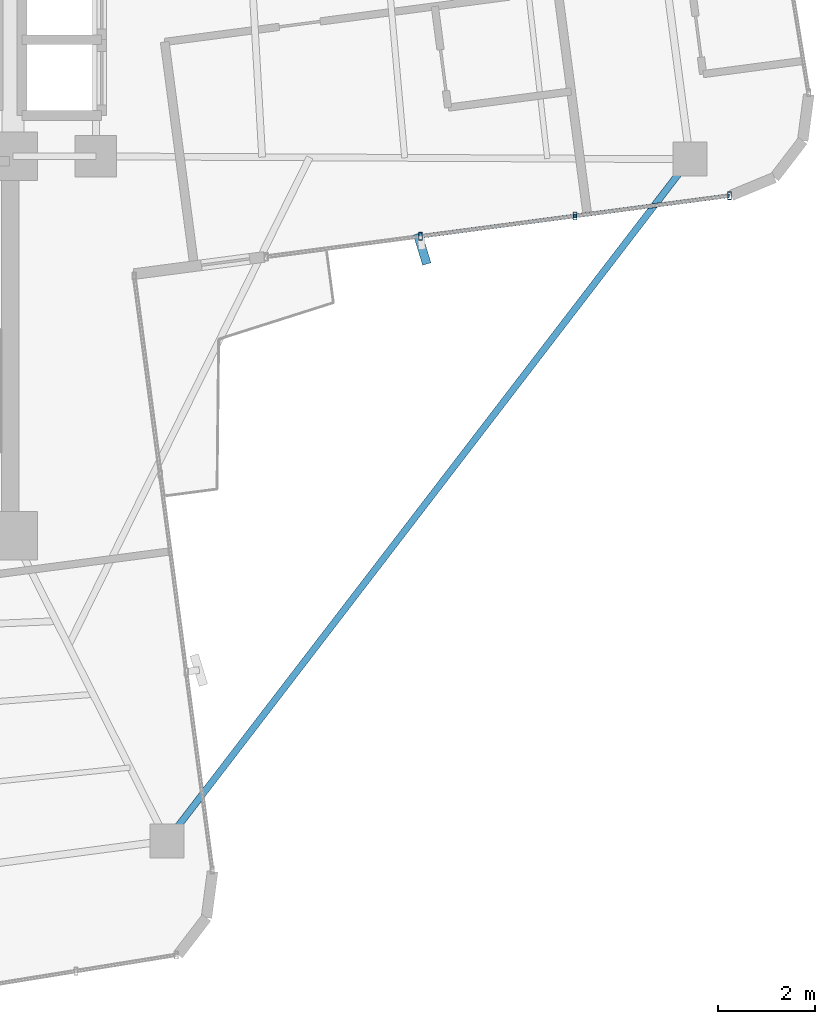
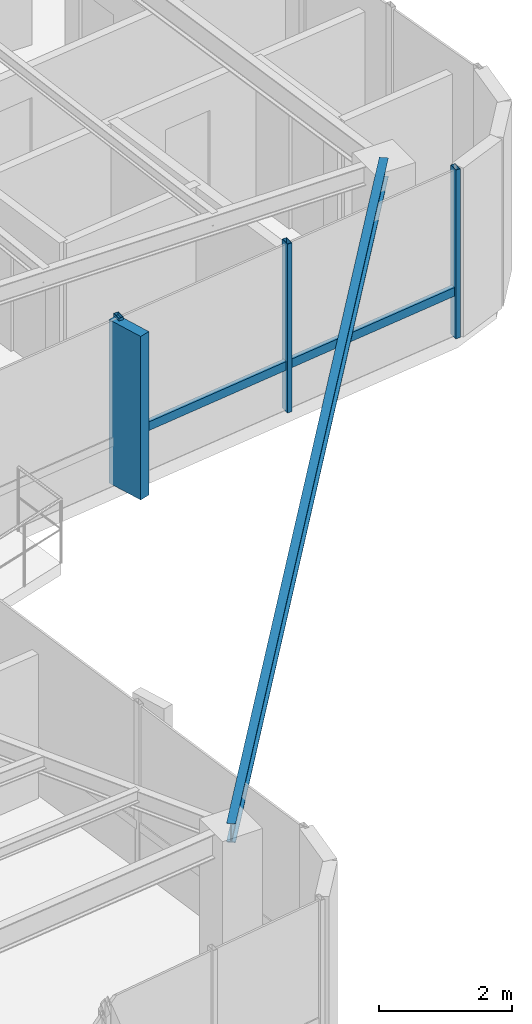
# One storey, part 12 of 22: 6 members, 1 beam, 1 element without a shape of its own.
"""IFC4 building model written with IfcOpenShell, lengths in metres."""

from ifc_helpers import new_model, si_unit, direction, frame, origin, origin_2d, place, context, subcontext, project, spatial, rectangle, hollow_rectangle, i_section, extrude, source, transform, mapped, material, material_profile, profile_set, type_object, element, aggregate, save


model = new_model("IFC4")

# Units and contexts
model_context = context("Model", 3, precision=1e-05, world=origin(), true_north=direction((0.0, 1.0)))
body_context = subcontext(model_context, "Body", "Model", "MODEL_VIEW")
ifc_project = project(units=[si_unit("LENGTHUNIT", "METRE"), si_unit("AREAUNIT", "SQUARE_METRE"), si_unit("VOLUMEUNIT", "CUBIC_METRE"), si_unit("PLANEANGLEUNIT", "RADIAN"), si_unit("MASSUNIT", "GRAM", prefix="KILO")], contexts=[model_context])

# Site, building, storey
site_placement = place(None, origin())
site = spatial("IfcSite", under=ifc_project, at=site_placement, CompositionType="ELEMENT")
building_placement = place(site_placement, origin())
building = spatial("IfcBuilding", under=site, at=building_placement, Name="Sahyath Konkavel Grand Hotel", CompositionType="ELEMENT")
storey_placement = place(building_placement, frame((0.0, 0.0, 272.449951171875)))
storey = spatial("IfcBuildingStorey", under=building, at=storey_placement, Name="L76", CompositionType="ELEMENT", Elevation=272.449951171875)

# Beam
ifc_material_1 = material(Name="Steel E350", Category="steel")
ifc_material_profile_1 = material_profile(ifc_material_1, i_section(OverallWidth=0.139892578125, OverallDepth=0.35009765625, WebThickness=0.008056640625, FlangeThickness=0.01416015625, FilletRadius=0.013916015625, at=origin_2d()), Name="ISMB 350")
ifc_profile_set_1 = profile_set([ifc_material_profile_1], Name="Steel E350")
beam_type = type_object("IfcBeamType", Name="BM-ISMB350", PredefinedType="BEAM", material=ifc_profile_set_1)
shared_shape_1 = source(origin(), body_context, "Body", "SweptSolid", [
    extrude(i_section(OverallWidth=0.139892578125, OverallDepth=0.35009765625, WebThickness=0.008056640625, FlangeThickness=0.01416015625, FilletRadius=0.013916015625, at=origin_2d()), origin(), (0.0, 0.0, 1.0), 17.663330078125),
])
beam_placement = place(storey_placement, frame((17.71240234375, -2.458984375, 2.93505859375), z_axis=(-0.608754453805, -0.793358692504, 0.0), x_axis=(0.793358692504, -0.608754453805, 0.0)))
element("IfcBeam", 1, at=beam_placement, inside=storey, type_object=beam_type, Name="L76 Re-Entrant Tie Beam SE", PredefinedType="BEAM", context=body_context, shape_type="MappedRepresentation", body=[
    mapped(shared_shape_1, transform((0.0, 0.0, 0.0), scale=1.0)),
])

# Curtain wall, members
ifc_material_2 = material(Name="Anodised Bronze Aluminium & Low-E Glazing", Category="aluminium")
curtain_wall_type = type_object("IfcCurtainWallType", Name="CW-ZONE4", PredefinedType="NOTDEFINED", material=ifc_material_2)
curtain_wall_placement = place(storey_placement, origin())
curtain_wall = element("IfcCurtainWall", 2, at=curtain_wall_placement, inside=storey, type_object=curtain_wall_type, Name="L76 Unitised Curtain Wall F0", PredefinedType="NOTDEFINED")
ifc_material_3 = material(Name="Warm Buff Sandstone Cladding on Concrete C50/60", Category="masonry")
ifc_material_profile_2 = material_profile(ifc_material_3, rectangle(XDim=0.179931640625, YDim=0.64990234375, at=origin_2d()), Name="FIN 180x650")
ifc_profile_set_2 = profile_set([ifc_material_profile_2], Name="Warm Buff Sandstone Cladding on Concrete C50/60")
member_type_1 = type_object("IfcMemberType", Name="FIN-SANDSTONE-650", PredefinedType="MULLION", material=ifc_profile_set_2)
shared_shape_2 = source(origin(), body_context, "Body", "SweptSolid", [
    extrude(rectangle(XDim=0.179931640625, YDim=0.64990234375, at=origin_2d()), origin(), (0.0, 0.0, 1.0), 3.010009765625),
])
member_1_placement = place(storey_placement, frame((12.20947265625, -4.30322265625, 0.050048828125), z_axis=(0.0, 0.0, 1.0), x_axis=(0.956151539415, 0.292872384621, 0.0)))
member_1 = element("IfcMember", 3, at=member_1_placement, type_object=member_type_1, Name="L76 Sandstone Vertical Solar Fin FIN F0-1", PredefinedType="MULLION", context=body_context, shape_type="MappedRepresentation", body=[
    mapped(shared_shape_2, transform((0.0, 0.0, 0.0), scale=1.0)),
])
ifc_material_4 = material(Name="Anodised Bronze Aluminium", Category="aluminium")
ifc_material_profile_3 = material_profile(ifc_material_4, hollow_rectangle(XDim=0.080078125, YDim=0.159912109375, WallThickness=0.006103515625, at=origin_2d()), Name="RHS 160x80x6")
ifc_profile_set_3 = profile_set([ifc_material_profile_3], Name="Anodised Bronze Aluminium")
member_type_2 = type_object("IfcMemberType", Name="CW-MUL-160", PredefinedType="MULLION", material=ifc_profile_set_3)
shared_shape_3 = source(origin(), body_context, "Body", "SweptSolid", [
    extrude(hollow_rectangle(XDim=0.080078125, YDim=0.159912109375, WallThickness=0.006103515625, at=origin_2d()), origin(), (0.0, 0.0, 1.0), 3.110107421875),
])
member_2_placement = place(storey_placement, frame((12.175537109375, -4.04541015625, 0.0), z_axis=(0.0, 0.0, 1.0), x_axis=(1.0, 0.0, 0.0)))
member_2 = element("IfcMember", 4, at=member_2_placement, type_object=member_type_2, Name="L76 Curtain Wall Mullion F0-1", PredefinedType="MULLION", context=body_context, shape_type="MappedRepresentation", body=[
    mapped(shared_shape_3, transform((0.0, 0.0, 0.0), scale=1.0)),
])
member_3_placement = place(storey_placement, frame((15.351318359375, -3.627197265625, 0.0), z_axis=(0.0, 0.0, 1.0), x_axis=(1.0, 0.0, 0.0)))
member_3 = element("IfcMember", 5, at=member_3_placement, type_object=member_type_2, Name="L76 Curtain Wall Mullion F0-2", PredefinedType="MULLION", context=body_context, shape_type="MappedRepresentation", body=[
    mapped(shared_shape_3, transform((0.0, 0.0, 0.0), scale=1.0)),
])
member_4_placement = place(storey_placement, frame((18.52734375, -3.208984375, 0.0), z_axis=(0.0, 0.0, 1.0), x_axis=(1.0, 0.0, 0.0)))
member_4 = element("IfcMember", 6, at=member_4_placement, type_object=member_type_2, Name="L76 Curtain Wall Mullion F0-3", PredefinedType="MULLION", context=body_context, shape_type="MappedRepresentation", body=[
    mapped(shared_shape_3, transform((0.0, 0.0, 0.0), scale=1.0)),
])
ifc_material_profile_4 = material_profile(ifc_material_4, hollow_rectangle(XDim=0.080078125, YDim=0.159912109375, WallThickness=0.006103515625, at=origin_2d()), Name="RHS 160x80x6")
ifc_profile_set_4 = profile_set([ifc_material_profile_4], Name="Anodised Bronze Aluminium")
member_type_3 = type_object("IfcMemberType", Name="CW-TRN-160", PredefinedType="USERDEFINED", material=ifc_profile_set_4)
shared_shape_4 = source(origin(), body_context, "Body", "SweptSolid", [
    extrude(hollow_rectangle(XDim=0.080078125, YDim=0.159912109375, WallThickness=0.006103515625, at=origin_2d()), origin(), (0.0, 0.0, 1.0), 3.203369140625),
])
member_5_placement = place(storey_placement, frame((15.351318359375, -3.627197265625, 0.85009765625), z_axis=(0.991441580194, 0.130551112835, 0.0), x_axis=(-0.130551112835, 0.991441580194, 0.0)))
member_5 = element("IfcMember", 7, at=member_5_placement, type_object=member_type_3, Name="L76 Curtain Wall Transom F0-2-spandrel", ObjectType="TRANSOM", PredefinedType="USERDEFINED", context=body_context, shape_type="MappedRepresentation", body=[
    mapped(shared_shape_4, transform((0.0, 0.0, 0.0), scale=1.0)),
])
shared_shape_5 = source(origin(), body_context, "Body", "SweptSolid", [
    extrude(hollow_rectangle(XDim=0.080078125, YDim=0.159912109375, WallThickness=0.006103515625, at=origin_2d()), origin(), (0.0, 0.0, 1.0), 3.203125),
])
member_6_placement = place(storey_placement, frame((12.175537109375, -4.04541015625, 0.85009765625), z_axis=(0.991440281121, 0.13056097798, 0.0), x_axis=(-0.13056097798, 0.991440281121, 0.0)))
member_6 = element("IfcMember", 8, at=member_6_placement, type_object=member_type_3, Name="L76 Curtain Wall Transom F0-1-spandrel", ObjectType="TRANSOM", PredefinedType="USERDEFINED", context=body_context, shape_type="MappedRepresentation", body=[
    mapped(shared_shape_5, transform((0.0, 0.0, 0.0), scale=1.0)),
])
aggregate(curtain_wall, [member_2, member_1, member_3, member_4, member_6, member_5])

save(model, "model.ifc")
